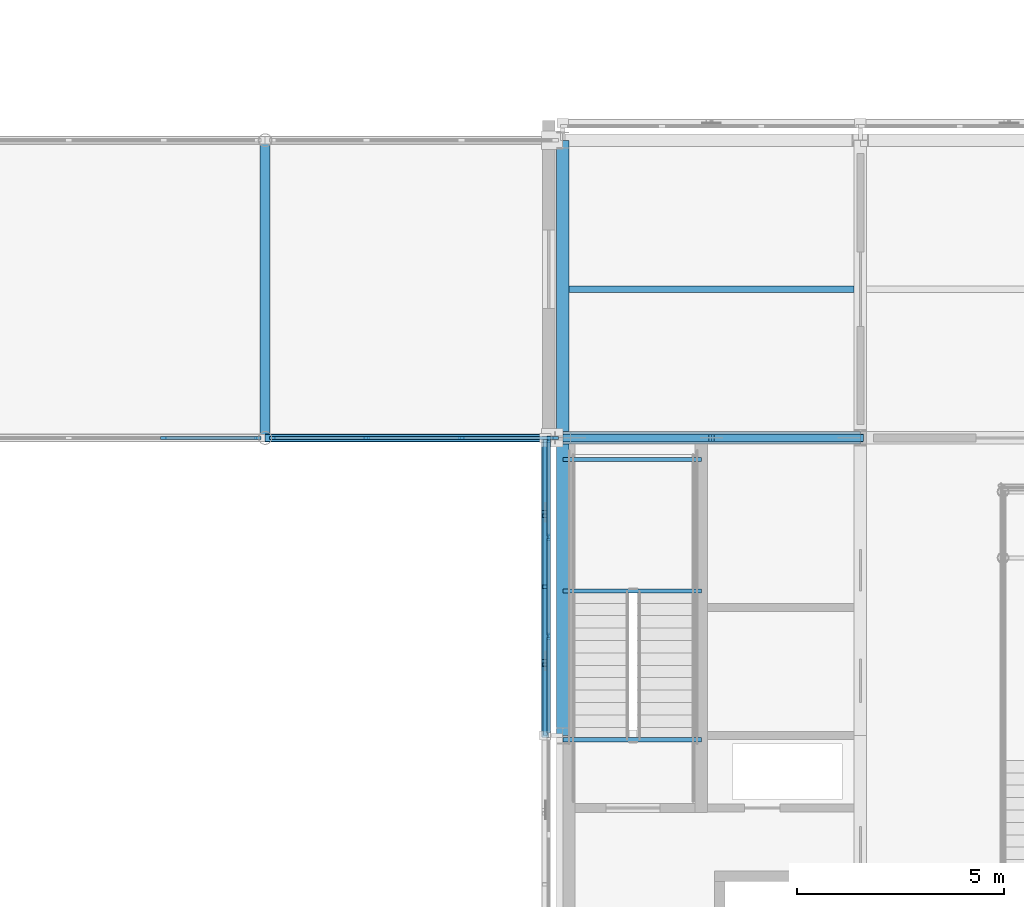
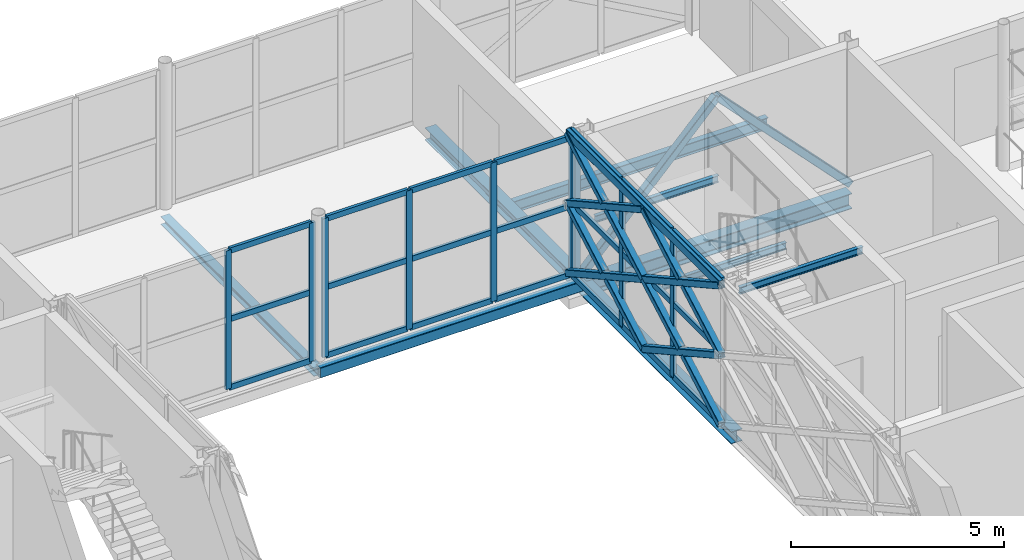
# One storey, part 31 of 146: 45 members, 9 beams, 3 elements without a shape of their own.
"""IFC4 building model written with IfcOpenShell, lengths in metres."""

from ifc_helpers import new_model, si_unit, direction, frame, origin, origin_2d, place, context, subcontext, project, spatial, rectangle, hollow_rectangle, i_section, extrude, material, material_profile, profile_set, type_object, element, aggregate, save


model = new_model("IFC4")

# Units and contexts
model_context = context("Model", 3, precision=1e-05, world=origin(), true_north=direction((0.0, 1.0)))
body_context = subcontext(model_context, "Body", "Model", "MODEL_VIEW")
ifc_project = project(units=[si_unit("LENGTHUNIT", "METRE"), si_unit("AREAUNIT", "SQUARE_METRE"), si_unit("VOLUMEUNIT", "CUBIC_METRE"), si_unit("PLANEANGLEUNIT", "RADIAN"), si_unit("MASSUNIT", "GRAM", prefix="KILO")], contexts=[model_context])

# Site, building, storey
site_placement = place(None, origin())
site = spatial("IfcSite", under=ifc_project, at=site_placement, CompositionType="ELEMENT")
building_placement = place(site_placement, origin())
building = spatial("IfcBuilding", under=site, at=building_placement, Name="Zlatovets Crest Museum", CompositionType="ELEMENT")
storey_placement = place(building_placement, frame((0.0, 0.0, 4.5)))
storey = spatial("IfcBuildingStorey", under=building, at=storey_placement, Name="L01", CompositionType="ELEMENT", Elevation=4.5)

# Beams
ifc_material_1 = material(Name="Structural steel S355J2", Category="steel")
ifc_material_profile_1 = material_profile(ifc_material_1, i_section(OverallWidth=0.300048828125, OverallDepth=0.35009765625, WebThickness=0.010009765625, FlangeThickness=0.017578125, FilletRadius=0.027099609375, at=origin_2d()), Name="HEA 360")
ifc_profile_set_1 = profile_set([ifc_material_profile_1], Name="Structural steel S355J2")
beam_type_1 = type_object("IfcBeamType", Name="Beam_B-03", PredefinedType="BEAM", material=ifc_profile_set_1)
beam_1_placement = place(storey_placement, frame((57.60009765625, 14.39990234375, -0.39501953125), z_axis=(0.0, 1.0, 0.0), x_axis=(-1.0, 0.0, 0.0)))
element("IfcBeam", 1, at=beam_1_placement, inside=storey, type_object=beam_type_1, Name="V2 L01 Grid Beam B-03", PredefinedType="BEAM", context=body_context, shape_type="SweptSolid", body=[
    extrude(i_section(OverallWidth=0.300048828125, OverallDepth=0.35009765625, WebThickness=0.010009765625, FlangeThickness=0.017578125, FilletRadius=0.027099609375, at=origin_2d()), origin(), (0.0, 0.0, 1.0), 7.2001953125),
])
beam_2_placement = place(storey_placement, frame((57.60009765625, 21.60009765625, -0.39501953125), z_axis=(0.0, 1.0, 0.0), x_axis=(-1.0, 0.0, 0.0)))
element("IfcBeam", 2, at=beam_2_placement, inside=storey, type_object=beam_type_1, Name="V2 L01 Grid Beam B-03", PredefinedType="BEAM", context=body_context, shape_type="SweptSolid", body=[
    extrude(i_section(OverallWidth=0.300048828125, OverallDepth=0.35009765625, WebThickness=0.010009765625, FlangeThickness=0.017578125, FilletRadius=0.027099609375, at=origin_2d()), origin(), (0.0, 0.0, 1.0), 7.199951171875),
])
ifc_material_profile_2 = material_profile(ifc_material_1, i_section(OverallWidth=0.239990234375, OverallDepth=0.22998046875, WebThickness=0.007568359375, FlangeThickness=0.011962890625, FilletRadius=0.02099609375, at=origin_2d()), Name="HEA 240")
ifc_profile_set_2 = profile_set([ifc_material_profile_2], Name="Structural steel S355J2")
beam_type_2 = type_object("IfcBeamType", Name="Beam_B-06", PredefinedType="BEAM", material=ifc_profile_set_2)
beam_3_placement = place(storey_placement, frame((50.39990234375, 21.60009765625, -0.3701171875), z_axis=(0.0, 1.0, 0.0), x_axis=(-1.0, 0.0, 0.0)))
element("IfcBeam", 3, at=beam_3_placement, inside=storey, type_object=beam_type_2, Name="South Forecourt Glazed Link Bridge L01 Cross Beam", PredefinedType="BEAM", context=body_context, shape_type="SweptSolid", body=[
    extrude(i_section(OverallWidth=0.239990234375, OverallDepth=0.22998046875, WebThickness=0.007568359375, FlangeThickness=0.011962890625, FilletRadius=0.02099609375, at=origin_2d()), origin(), (0.0, 0.0, 1.0), 7.199951171875),
])
ifc_material_profile_3 = material_profile(ifc_material_1, i_section(OverallWidth=0.300048828125, OverallDepth=0.43994140625, WebThickness=0.011474609375, FlangeThickness=0.02099609375, FilletRadius=0.027099609375, at=origin_2d()), Name="HEA 450")
ifc_profile_set_3 = profile_set([ifc_material_profile_3], Name="Structural steel S355J2")
beam_type_3 = type_object("IfcBeamType", Name="Beam_B-10", PredefinedType="BEAM", material=ifc_profile_set_3)
beam_4_placement = place(storey_placement, frame((57.60009765625, 21.60009765625, -0.43994140625), z_axis=(1.0, 0.0, 0.0), x_axis=(0.0, 1.0, 0.0)))
element("IfcBeam", 4, at=beam_4_placement, inside=storey, type_object=beam_type_3, Name="V2 L01 Primary Girder B-10", PredefinedType="BEAM", context=body_context, shape_type="SweptSolid", body=[
    extrude(i_section(OverallWidth=0.300048828125, OverallDepth=0.43994140625, WebThickness=0.011474609375, FlangeThickness=0.02099609375, FilletRadius=0.027099609375, at=origin_2d()), origin(), (0.0, 0.0, 1.0), 7.199951171875),
])
ifc_material_profile_4 = material_profile(ifc_material_1, hollow_rectangle(XDim=0.199951171875, YDim=0.300048828125, WallThickness=0.012451171875, InnerFilletRadius=0.012451171875, OuterFilletRadius=0.02490234375, at=origin_2d()), Name="RHS 200x300x12.5")
ifc_profile_set_4 = profile_set([ifc_material_profile_4], Name="Structural steel S355J2")
beam_type_4 = type_object("IfcBeamType", Name="Beam_BRG-01", PredefinedType="BEAM", material=ifc_profile_set_4)
beam_5_placement = place(storey_placement, frame((50.39990234375, 21.60009765625, -0.3701171875), z_axis=(1.0, 0.0, 0.0), x_axis=(0.0, 1.0, 0.0)))
element("IfcBeam", 5, at=beam_5_placement, inside=storey, type_object=beam_type_4, Name="South Forecourt Glazed Link Bridge L01 Stringer Beam", PredefinedType="BEAM", context=body_context, shape_type="SweptSolid", body=[
    extrude(hollow_rectangle(XDim=0.199951171875, YDim=0.300048828125, WallThickness=0.012451171875, InnerFilletRadius=0.012451171875, OuterFilletRadius=0.02490234375, at=origin_2d()), origin(), (0.0, 0.0, 1.0), 7.2001953125),
])
ifc_material_profile_5 = material_profile(ifc_material_1, i_section(OverallWidth=0.159912109375, OverallDepth=0.330078125, WebThickness=0.007568359375, FlangeThickness=0.011474609375, FilletRadius=0.01806640625, at=origin_2d()), Name="IPE 330")
ifc_profile_set_5 = profile_set([ifc_material_profile_5], Name="Structural steel S355J2")
beam_type_5 = type_object("IfcBeamType", Name="Beam_J-09", PredefinedType="JOIST", material=ifc_profile_set_5)
beam_6_placement = place(storey_placement, frame((57.75, 25.199951171875, -0.385009765625), z_axis=(1.0, 0.0, 0.0), x_axis=(0.0, 1.0, 0.0)))
element("IfcBeam", 6, at=beam_6_placement, inside=storey, type_object=beam_type_5, Name="V2 L01 Composite Joist J-09", PredefinedType="JOIST", context=body_context, shape_type="SweptSolid", body=[
    extrude(i_section(OverallWidth=0.159912109375, OverallDepth=0.330078125, WebThickness=0.007568359375, FlangeThickness=0.011474609375, FilletRadius=0.01806640625, at=origin_2d()), origin(), (0.0, 0.0, 1.0), 6.89990234375),
])
ifc_material_profile_6 = material_profile(ifc_material_1, i_section(OverallWidth=0.10009765625, OverallDepth=0.199951171875, WebThickness=0.005615234375, FlangeThickness=0.008544921875, FilletRadius=0.011962890625, at=origin_2d()), Name="IPE 200")
ifc_profile_set_6 = profile_set([ifc_material_profile_6], Name="Structural steel S355J2")
beam_type_6 = type_object("IfcBeamType", Name="Beam_PR-02", PredefinedType="LINTEL", material=ifc_profile_set_6)
for number, where, z_axis, x_axis, name in (
    (7, (57.60009765625, 14.300048828125, 3.860107421875), (1.0, 0.0, 0.0), (0.0, 1.0, 0.0), "Core C2 L01 Stair Well Header Beam"),
    (8, (57.60009765625, 17.89990234375, 1.800048828125), (1.0, 0.0, 0.0), (0.0, 1.0, 0.0), "Core C2 L01 Half-Landing Support Beam"),
    (9, (57.60009765625, 21.080078125, 1.800048828125), (1.0, 0.0, 0.0), (0.0, 1.0, 0.0), "Core C2 L01 Half-Landing Support Beam"),
):
    element("IfcBeam", number, at=place(storey_placement, frame(where, z_axis=z_axis, x_axis=x_axis)), inside=storey, type_object=beam_type_6, Name=name, PredefinedType="LINTEL", context=body_context, shape_type="SweptSolid", body=[
        extrude(i_section(OverallWidth=0.10009765625, OverallDepth=0.199951171875, WebThickness=0.005615234375, FlangeThickness=0.008544921875, FilletRadius=0.011962890625, at=origin_2d()), origin(), (0.0, 0.0, 1.0), 3.349853515625),
    ])

# Curtain wall, members
ifc_material_2 = material(Name="Bronze-anodised aluminium and low-E triple glass", Category="aluminium")
curtain_wall_type_1 = type_object("IfcCurtainWallType", Name="CW_CW-V2-L01-M3", PredefinedType="NOTDEFINED", material=ifc_material_2)
curtain_wall_1_placement = place(storey_placement, origin())
curtain_wall_1 = element("IfcCurtainWall", 10, at=curtain_wall_1_placement, inside=storey, type_object=curtain_wall_type_1, Name="V2 L01 Expressed Core Glazed Facade", PredefinedType="NOTDEFINED")
ifc_material_3 = material(Name="Bronze-anodised aluminium EN AW-6060", Category="aluminium")
ifc_material_profile_7 = material_profile(ifc_material_3, rectangle(XDim=0.080078125, YDim=0.159912109375, at=origin_2d()), Name="ALU 80x160")
ifc_profile_set_7 = profile_set([ifc_material_profile_7], Name="Bronze-anodised aluminium EN AW-6060")
member_type_1 = type_object("IfcMemberType", Name="CWMull_M1", PredefinedType="MULLION", material=ifc_profile_set_7)
member_1_placement = place(storey_placement, frame((57.260009765625, 21.570068359375, 0.0), z_axis=(0.0, 0.0, 1.0), x_axis=(1.0, 0.0, 0.0)))
member_1 = element("IfcMember", 11, at=member_1_placement, type_object=member_type_1, Name="CW-V2-L01-M3 mullion 1", PredefinedType="MULLION", context=body_context, shape_type="SweptSolid", body=[
    extrude(rectangle(XDim=0.080078125, YDim=0.159912109375, at=origin_2d()), origin(), (0.0, 0.0, 1.0), 4.199951171875),
])
member_2_placement = place(storey_placement, frame((57.260009765625, 19.199951171875, 0.0), z_axis=(0.0, 0.0, 1.0), x_axis=(1.0, 0.0, 0.0)))
member_2 = element("IfcMember", 12, at=member_2_placement, type_object=member_type_1, Name="CW-V2-L01-M3 mullion 2", PredefinedType="MULLION", context=body_context, shape_type="SweptSolid", body=[
    extrude(rectangle(XDim=0.080078125, YDim=0.159912109375, at=origin_2d()), origin(), (0.0, 0.0, 1.0), 4.199951171875),
])
member_3_placement = place(storey_placement, frame((57.260009765625, 16.800048828125, 0.0), z_axis=(0.0, 0.0, 1.0), x_axis=(1.0, 0.0, 0.0)))
member_3 = element("IfcMember", 13, at=member_3_placement, type_object=member_type_1, Name="CW-V2-L01-M3 mullion 3", PredefinedType="MULLION", context=body_context, shape_type="SweptSolid", body=[
    extrude(rectangle(XDim=0.080078125, YDim=0.159912109375, at=origin_2d()), origin(), (0.0, 0.0, 1.0), 4.199951171875),
])

curtain_wall_type_2 = type_object("IfcCurtainWallType", Name="CW_CW-BR1-L01-S69", PredefinedType="NOTDEFINED", material=ifc_material_2)
curtain_wall_2_placement = place(storey_placement, origin())
curtain_wall_2 = element("IfcCurtainWall", 14, at=curtain_wall_2_placement, inside=storey, type_object=curtain_wall_type_2, Name="South Forecourt Glazed Link Bridge L01 Glazed Bridge Curtain Wall", PredefinedType="NOTDEFINED")
member_4_placement = place(storey_placement, frame((47.949951171875, 21.60009765625, 0.0), z_axis=(0.0, 0.0, 1.0), x_axis=(0.0, 1.0, 0.0)))
member_4 = element("IfcMember", 15, at=member_4_placement, type_object=member_type_1, Name="CW-BR1-L01-S69 mullion 3", PredefinedType="MULLION", context=body_context, shape_type="SweptSolid", body=[
    extrude(rectangle(XDim=0.080078125, YDim=0.159912109375, at=origin_2d()), origin(), (0.0, 0.0, 1.0), 3.97998046875),
])
member_5_placement = place(storey_placement, frame((50.219970703125, 21.60009765625, 0.0), z_axis=(0.0, 0.0, 1.0), x_axis=(0.0, 1.0, 0.0)))
member_5 = element("IfcMember", 16, at=member_5_placement, type_object=member_type_1, Name="CW-BR1-L01-S69 mullion 4", PredefinedType="MULLION", context=body_context, shape_type="SweptSolid", body=[
    extrude(rectangle(XDim=0.080078125, YDim=0.159912109375, at=origin_2d()), origin(), (0.0, 0.0, 1.0), 3.97998046875),
])

curtain_wall_3_placement = place(storey_placement, origin())
curtain_wall_3 = element("IfcCurtainWall", 17, at=curtain_wall_3_placement, inside=storey, type_object=curtain_wall_type_2, Name="South Forecourt Glazed Link Bridge L01 Glazed Bridge Curtain Wall", PredefinedType="NOTDEFINED")
member_6_placement = place(storey_placement, frame((50.580078125, 21.60009765625, 0.0), z_axis=(0.0, 0.0, 1.0), x_axis=(0.0, 1.0, 0.0)))
member_6 = element("IfcMember", 18, at=member_6_placement, type_object=member_type_1, Name="CW-BR1-L01-S69 mullion 1", PredefinedType="MULLION", context=body_context, shape_type="SweptSolid", body=[
    extrude(rectangle(XDim=0.080078125, YDim=0.159912109375, at=origin_2d()), origin(), (0.0, 0.0, 1.0), 3.97998046875),
])
member_7_placement = place(storey_placement, frame((52.85009765625, 21.60009765625, 0.0), z_axis=(0.0, 0.0, 1.0), x_axis=(0.0, 1.0, 0.0)))
member_7 = element("IfcMember", 19, at=member_7_placement, type_object=member_type_1, Name="CW-BR1-L01-S69 mullion 2", PredefinedType="MULLION", context=body_context, shape_type="SweptSolid", body=[
    extrude(rectangle(XDim=0.080078125, YDim=0.159912109375, at=origin_2d()), origin(), (0.0, 0.0, 1.0), 3.97998046875),
])
member_8_placement = place(storey_placement, frame((55.14990234375, 21.60009765625, 0.0), z_axis=(0.0, 0.0, 1.0), x_axis=(0.0, 1.0, 0.0)))
member_8 = element("IfcMember", 20, at=member_8_placement, type_object=member_type_1, Name="CW-BR1-L01-S69 mullion 3", PredefinedType="MULLION", context=body_context, shape_type="SweptSolid", body=[
    extrude(rectangle(XDim=0.080078125, YDim=0.159912109375, at=origin_2d()), origin(), (0.0, 0.0, 1.0), 3.97998046875),
])
member_9_placement = place(storey_placement, frame((57.419921875, 21.60009765625, 0.0), z_axis=(0.0, 0.0, 1.0), x_axis=(0.0, 1.0, 0.0)))
member_9 = element("IfcMember", 21, at=member_9_placement, type_object=member_type_1, Name="CW-BR1-L01-S69 mullion 4", PredefinedType="MULLION", context=body_context, shape_type="SweptSolid", body=[
    extrude(rectangle(XDim=0.080078125, YDim=0.159912109375, at=origin_2d()), origin(), (0.0, 0.0, 1.0), 3.97998046875),
])

# Member
ifc_material_profile_8 = material_profile(ifc_material_3, rectangle(XDim=0.080078125, YDim=0.159912109375, at=origin_2d()), Name="ALU 80x160")
ifc_profile_set_8 = profile_set([ifc_material_profile_8], Name="Bronze-anodised aluminium EN AW-6060")
member_type_2 = type_object("IfcMemberType", Name="CWTrans_T1", PredefinedType="USERDEFINED", material=ifc_profile_set_8)
member_10_placement = place(storey_placement, frame((57.260009765625, 21.5400390625, 0.030029296875), z_axis=(0.0, -1.0, 0.0), x_axis=(1.0, 0.0, 0.0)))
member_10 = element("IfcMember", 22, at=member_10_placement, type_object=member_type_2, Name="CW-V2-L01-M3 transom 1.1", ObjectType="TRANSOM", PredefinedType="USERDEFINED", context=body_context, shape_type="SweptSolid", body=[
    extrude(rectangle(XDim=0.080078125, YDim=0.159912109375, at=origin_2d()), origin(), (0.0, 0.0, 1.0), 2.31005859375),
])

member_11_placement = place(storey_placement, frame((57.260009765625, 21.5400390625, 2.10009765625), z_axis=(0.0, -1.0, 0.0), x_axis=(1.0, 0.0, 0.0)))
member_11 = element("IfcMember", 23, at=member_11_placement, type_object=member_type_2, Name="CW-V2-L01-M3 transom 1.2", ObjectType="TRANSOM", PredefinedType="USERDEFINED", context=body_context, shape_type="SweptSolid", body=[
    extrude(rectangle(XDim=0.080078125, YDim=0.159912109375, at=origin_2d()), origin(), (0.0, 0.0, 1.0), 2.31005859375),
])

member_12_placement = place(storey_placement, frame((57.260009765625, 21.5400390625, 4.169921875), z_axis=(0.0, -1.0, 0.0), x_axis=(1.0, 0.0, 0.0)))
member_12 = element("IfcMember", 24, at=member_12_placement, type_object=member_type_2, Name="CW-V2-L01-M3 transom 1.3", ObjectType="TRANSOM", PredefinedType="USERDEFINED", context=body_context, shape_type="SweptSolid", body=[
    extrude(rectangle(XDim=0.080078125, YDim=0.159912109375, at=origin_2d()), origin(), (0.0, 0.0, 1.0), 2.31005859375),
])

member_13_placement = place(storey_placement, frame((57.260009765625, 19.169921875, 0.030029296875), z_axis=(0.0, -1.0, 0.0), x_axis=(1.0, 0.0, 0.0)))
member_13 = element("IfcMember", 25, at=member_13_placement, type_object=member_type_2, Name="CW-V2-L01-M3 transom 2.1", ObjectType="TRANSOM", PredefinedType="USERDEFINED", context=body_context, shape_type="SweptSolid", body=[
    extrude(rectangle(XDim=0.080078125, YDim=0.159912109375, at=origin_2d()), origin(), (0.0, 0.0, 1.0), 2.33984375),
])

member_14_placement = place(storey_placement, frame((57.260009765625, 19.169921875, 2.10009765625), z_axis=(0.0, -1.0, 0.0), x_axis=(1.0, 0.0, 0.0)))
member_14 = element("IfcMember", 26, at=member_14_placement, type_object=member_type_2, Name="CW-V2-L01-M3 transom 2.2", ObjectType="TRANSOM", PredefinedType="USERDEFINED", context=body_context, shape_type="SweptSolid", body=[
    extrude(rectangle(XDim=0.080078125, YDim=0.159912109375, at=origin_2d()), origin(), (0.0, 0.0, 1.0), 2.33984375),
])

member_15_placement = place(storey_placement, frame((57.260009765625, 19.169921875, 4.169921875), z_axis=(0.0, -1.0, 0.0), x_axis=(1.0, 0.0, 0.0)))
member_15 = element("IfcMember", 27, at=member_15_placement, type_object=member_type_2, Name="CW-V2-L01-M3 transom 2.3", ObjectType="TRANSOM", PredefinedType="USERDEFINED", context=body_context, shape_type="SweptSolid", body=[
    extrude(rectangle(XDim=0.080078125, YDim=0.159912109375, at=origin_2d()), origin(), (0.0, 0.0, 1.0), 2.33984375),
])

member_16_placement = place(storey_placement, frame((57.260009765625, 16.77001953125, 0.030029296875), z_axis=(0.0, -1.0, 0.0), x_axis=(1.0, 0.0, 0.0)))
member_16 = element("IfcMember", 28, at=member_16_placement, type_object=member_type_2, Name="CW-V2-L01-M3 transom 3.1", ObjectType="TRANSOM", PredefinedType="USERDEFINED", context=body_context, shape_type="SweptSolid", body=[
    extrude(rectangle(XDim=0.080078125, YDim=0.159912109375, at=origin_2d()), origin(), (0.0, 0.0, 1.0), 2.31005859375),
])

member_17_placement = place(storey_placement, frame((57.260009765625, 16.77001953125, 2.10009765625), z_axis=(0.0, -1.0, 0.0), x_axis=(1.0, 0.0, 0.0)))
member_17 = element("IfcMember", 29, at=member_17_placement, type_object=member_type_2, Name="CW-V2-L01-M3 transom 3.2", ObjectType="TRANSOM", PredefinedType="USERDEFINED", context=body_context, shape_type="SweptSolid", body=[
    extrude(rectangle(XDim=0.080078125, YDim=0.159912109375, at=origin_2d()), origin(), (0.0, 0.0, 1.0), 2.31005859375),
])

member_18_placement = place(storey_placement, frame((57.260009765625, 16.77001953125, 4.169921875), z_axis=(0.0, -1.0, 0.0), x_axis=(1.0, 0.0, 0.0)))
member_18 = element("IfcMember", 30, at=member_18_placement, type_object=member_type_2, Name="CW-V2-L01-M3 transom 3.3", ObjectType="TRANSOM", PredefinedType="USERDEFINED", context=body_context, shape_type="SweptSolid", body=[
    extrude(rectangle(XDim=0.080078125, YDim=0.159912109375, at=origin_2d()), origin(), (0.0, 0.0, 1.0), 2.31005859375),
])

aggregate(curtain_wall_1, [member_1, member_2, member_3, member_10, member_11, member_12, member_13, member_14, member_15, member_16, member_17, member_18])

member_19_placement = place(storey_placement, frame((47.97998046875, 21.60009765625, 0.030029296875), z_axis=(1.0, 0.0, 0.0), x_axis=(0.0, 1.0, 0.0)))
member_19 = element("IfcMember", 31, at=member_19_placement, type_object=member_type_2, Name="CW-BR1-L01-S69 transom 3.1", ObjectType="TRANSOM", PredefinedType="USERDEFINED", context=body_context, shape_type="SweptSolid", body=[
    extrude(rectangle(XDim=0.080078125, YDim=0.159912109375, at=origin_2d()), origin(), (0.0, 0.0, 1.0), 2.2099609375),
])

member_20_placement = place(storey_placement, frame((47.97998046875, 21.60009765625, 1.989990234375), z_axis=(1.0, 0.0, 0.0), x_axis=(0.0, 1.0, 0.0)))
member_20 = element("IfcMember", 32, at=member_20_placement, type_object=member_type_2, Name="CW-BR1-L01-S69 transom 3.2", ObjectType="TRANSOM", PredefinedType="USERDEFINED", context=body_context, shape_type="SweptSolid", body=[
    extrude(rectangle(XDim=0.080078125, YDim=0.159912109375, at=origin_2d()), origin(), (0.0, 0.0, 1.0), 2.2099609375),
])

member_21_placement = place(storey_placement, frame((47.97998046875, 21.60009765625, 3.949951171875), z_axis=(1.0, 0.0, 0.0), x_axis=(0.0, 1.0, 0.0)))
member_21 = element("IfcMember", 33, at=member_21_placement, type_object=member_type_2, Name="CW-BR1-L01-S69 transom 3.3", ObjectType="TRANSOM", PredefinedType="USERDEFINED", context=body_context, shape_type="SweptSolid", body=[
    extrude(rectangle(XDim=0.080078125, YDim=0.159912109375, at=origin_2d()), origin(), (0.0, 0.0, 1.0), 2.2099609375),
])

aggregate(curtain_wall_2, [member_4, member_5, member_19, member_20, member_21])

member_22_placement = place(storey_placement, frame((50.610107421875, 21.60009765625, 0.030029296875), z_axis=(1.0, 0.0, 0.0), x_axis=(0.0, 1.0, 0.0)))
member_22 = element("IfcMember", 34, at=member_22_placement, type_object=member_type_2, Name="CW-BR1-L01-S69 transom 1.1", ObjectType="TRANSOM", PredefinedType="USERDEFINED", context=body_context, shape_type="SweptSolid", body=[
    extrude(rectangle(XDim=0.080078125, YDim=0.159912109375, at=origin_2d()), origin(), (0.0, 0.0, 1.0), 2.2099609375),
])

member_23_placement = place(storey_placement, frame((50.610107421875, 21.60009765625, 1.989990234375), z_axis=(1.0, 0.0, 0.0), x_axis=(0.0, 1.0, 0.0)))
member_23 = element("IfcMember", 35, at=member_23_placement, type_object=member_type_2, Name="CW-BR1-L01-S69 transom 1.2", ObjectType="TRANSOM", PredefinedType="USERDEFINED", context=body_context, shape_type="SweptSolid", body=[
    extrude(rectangle(XDim=0.080078125, YDim=0.159912109375, at=origin_2d()), origin(), (0.0, 0.0, 1.0), 2.2099609375),
])

member_24_placement = place(storey_placement, frame((50.610107421875, 21.60009765625, 3.949951171875), z_axis=(1.0, 0.0, 0.0), x_axis=(0.0, 1.0, 0.0)))
member_24 = element("IfcMember", 36, at=member_24_placement, type_object=member_type_2, Name="CW-BR1-L01-S69 transom 1.3", ObjectType="TRANSOM", PredefinedType="USERDEFINED", context=body_context, shape_type="SweptSolid", body=[
    extrude(rectangle(XDim=0.080078125, YDim=0.159912109375, at=origin_2d()), origin(), (0.0, 0.0, 1.0), 2.2099609375),
])

member_25_placement = place(storey_placement, frame((52.8798828125, 21.60009765625, 0.030029296875), z_axis=(1.0, 0.0, 0.0), x_axis=(0.0, 1.0, 0.0)))
member_25 = element("IfcMember", 37, at=member_25_placement, type_object=member_type_2, Name="CW-BR1-L01-S69 transom 2.1", ObjectType="TRANSOM", PredefinedType="USERDEFINED", context=body_context, shape_type="SweptSolid", body=[
    extrude(rectangle(XDim=0.080078125, YDim=0.159912109375, at=origin_2d()), origin(), (0.0, 0.0, 1.0), 2.240234375),
])

member_26_placement = place(storey_placement, frame((52.8798828125, 21.60009765625, 1.989990234375), z_axis=(1.0, 0.0, 0.0), x_axis=(0.0, 1.0, 0.0)))
member_26 = element("IfcMember", 38, at=member_26_placement, type_object=member_type_2, Name="CW-BR1-L01-S69 transom 2.2", ObjectType="TRANSOM", PredefinedType="USERDEFINED", context=body_context, shape_type="SweptSolid", body=[
    extrude(rectangle(XDim=0.080078125, YDim=0.159912109375, at=origin_2d()), origin(), (0.0, 0.0, 1.0), 2.240234375),
])

member_27_placement = place(storey_placement, frame((52.8798828125, 21.60009765625, 3.949951171875), z_axis=(1.0, 0.0, 0.0), x_axis=(0.0, 1.0, 0.0)))
member_27 = element("IfcMember", 39, at=member_27_placement, type_object=member_type_2, Name="CW-BR1-L01-S69 transom 2.3", ObjectType="TRANSOM", PredefinedType="USERDEFINED", context=body_context, shape_type="SweptSolid", body=[
    extrude(rectangle(XDim=0.080078125, YDim=0.159912109375, at=origin_2d()), origin(), (0.0, 0.0, 1.0), 2.240234375),
])

member_28_placement = place(storey_placement, frame((55.179931640625, 21.60009765625, 0.030029296875), z_axis=(1.0, 0.0, 0.0), x_axis=(0.0, 1.0, 0.0)))
member_28 = element("IfcMember", 40, at=member_28_placement, type_object=member_type_2, Name="CW-BR1-L01-S69 transom 3.1", ObjectType="TRANSOM", PredefinedType="USERDEFINED", context=body_context, shape_type="SweptSolid", body=[
    extrude(rectangle(XDim=0.080078125, YDim=0.159912109375, at=origin_2d()), origin(), (0.0, 0.0, 1.0), 2.2099609375),
])

member_29_placement = place(storey_placement, frame((55.179931640625, 21.60009765625, 1.989990234375), z_axis=(1.0, 0.0, 0.0), x_axis=(0.0, 1.0, 0.0)))
member_29 = element("IfcMember", 41, at=member_29_placement, type_object=member_type_2, Name="CW-BR1-L01-S69 transom 3.2", ObjectType="TRANSOM", PredefinedType="USERDEFINED", context=body_context, shape_type="SweptSolid", body=[
    extrude(rectangle(XDim=0.080078125, YDim=0.159912109375, at=origin_2d()), origin(), (0.0, 0.0, 1.0), 2.2099609375),
])

member_30_placement = place(storey_placement, frame((55.179931640625, 21.60009765625, 3.949951171875), z_axis=(1.0, 0.0, 0.0), x_axis=(0.0, 1.0, 0.0)))
member_30 = element("IfcMember", 42, at=member_30_placement, type_object=member_type_2, Name="CW-BR1-L01-S69 transom 3.3", ObjectType="TRANSOM", PredefinedType="USERDEFINED", context=body_context, shape_type="SweptSolid", body=[
    extrude(rectangle(XDim=0.080078125, YDim=0.159912109375, at=origin_2d()), origin(), (0.0, 0.0, 1.0), 2.2099609375),
])

aggregate(curtain_wall_3, [member_6, member_7, member_8, member_9, member_22, member_23, member_24, member_25, member_26, member_27, member_28, member_29, member_30])

# Members
ifc_material_4 = material(Name="Weathering bronze-steel S355J2W", Category="steel")
ifc_material_profile_9 = material_profile(ifc_material_4, hollow_rectangle(XDim=0.179931640625, YDim=0.179931640625, WallThickness=0.010009765625, InnerFilletRadius=0.010009765625, OuterFilletRadius=0.02001953125, at=origin_2d()), Name="SHS 180x180x10.0")
ifc_profile_set_9 = profile_set([ifc_material_profile_9], Name="Weathering bronze-steel S355J2W")
member_type_3 = type_object("IfcMemberType", Name="Lattice_XL-01", PredefinedType="BRACE", material=ifc_profile_set_9)
member_31_placement = place(storey_placement, frame((57.179931640625, 21.60009765625, 0.10009765625), z_axis=(0.0, -0.874162868644, 0.485632864501), x_axis=(1.0, 0.0, 0.0)))
element("IfcMember", 43, at=member_31_placement, inside=storey, type_object=member_type_3, Name="Continuous Bronze Lattice Diagonal", PredefinedType="BRACE", context=body_context, shape_type="SweptSolid", body=[
    extrude(hollow_rectangle(XDim=0.179931640625, YDim=0.179931640625, WallThickness=0.010009765625, InnerFilletRadius=0.010009765625, OuterFilletRadius=0.02001953125, at=origin_2d()), origin(), (0.0, 0.0, 1.0), 4.118408203125),
])
member_32_placement = place(storey_placement, frame((57.179931640625, 21.60009765625, 2.10009765625), z_axis=(0.0, -0.874116234569, -0.48571679862), x_axis=(1.0, 0.0, 0.0)))
element("IfcMember", 44, at=member_32_placement, inside=storey, type_object=member_type_3, Name="Split Crossing Bronze Lattice Diagonal Upper", PredefinedType="BRACE", context=body_context, shape_type="SweptSolid", body=[
    extrude(hollow_rectangle(XDim=0.179931640625, YDim=0.179931640625, WallThickness=0.010009765625, InnerFilletRadius=0.010009765625, OuterFilletRadius=0.02001953125, at=origin_2d()), origin(), (0.0, 0.0, 1.0), 1.96435546875),
])
member_33_placement = place(storey_placement, frame((57.179931640625, 19.717041015625, 1.053955078125), z_axis=(0.0, -0.874169001841, -0.485621824284), x_axis=(1.0, 0.0, 0.0)))
element("IfcMember", 45, at=member_33_placement, inside=storey, type_object=member_type_3, Name="Split Crossing Bronze Lattice Diagonal Lower", PredefinedType="BRACE", context=body_context, shape_type="SweptSolid", body=[
    extrude(hollow_rectangle(XDim=0.179931640625, YDim=0.179931640625, WallThickness=0.010009765625, InnerFilletRadius=0.010009765625, OuterFilletRadius=0.02001953125, at=origin_2d()), origin(), (0.0, 0.0, 1.0), 1.964111328125),
])
member_34_placement = place(storey_placement, frame((57.179931640625, 18.0, 0.10009765625), z_axis=(0.0, -0.874162868644, 0.485632864501), x_axis=(1.0, 0.0, 0.0)))
element("IfcMember", 46, at=member_34_placement, inside=storey, type_object=member_type_3, Name="Continuous Bronze Lattice Diagonal", PredefinedType="BRACE", context=body_context, shape_type="SweptSolid", body=[
    extrude(hollow_rectangle(XDim=0.179931640625, YDim=0.179931640625, WallThickness=0.010009765625, InnerFilletRadius=0.010009765625, OuterFilletRadius=0.02001953125, at=origin_2d()), origin(), (0.0, 0.0, 1.0), 4.118408203125),
])
member_35_placement = place(storey_placement, frame((57.179931640625, 18.0, 2.10009765625), z_axis=(0.0, -0.874116234569, -0.48571679862), x_axis=(1.0, 0.0, 0.0)))
element("IfcMember", 47, at=member_35_placement, inside=storey, type_object=member_type_3, Name="Split Crossing Bronze Lattice Diagonal Upper", PredefinedType="BRACE", context=body_context, shape_type="SweptSolid", body=[
    extrude(hollow_rectangle(XDim=0.179931640625, YDim=0.179931640625, WallThickness=0.010009765625, InnerFilletRadius=0.010009765625, OuterFilletRadius=0.02001953125, at=origin_2d()), origin(), (0.0, 0.0, 1.0), 1.96435546875),
])
member_36_placement = place(storey_placement, frame((57.179931640625, 16.116943359375, 1.053955078125), z_axis=(0.0, -0.874169001841, -0.485621824284), x_axis=(1.0, 0.0, 0.0)))
element("IfcMember", 48, at=member_36_placement, inside=storey, type_object=member_type_3, Name="Split Crossing Bronze Lattice Diagonal Lower", PredefinedType="BRACE", context=body_context, shape_type="SweptSolid", body=[
    extrude(hollow_rectangle(XDim=0.179931640625, YDim=0.179931640625, WallThickness=0.010009765625, InnerFilletRadius=0.010009765625, OuterFilletRadius=0.02001953125, at=origin_2d()), origin(), (0.0, 0.0, 1.0), 1.964111328125),
])
member_37_placement = place(storey_placement, frame((57.179931640625, 21.60009765625, 2.10009765625), z_axis=(0.0, -0.874162868644, 0.485632864501), x_axis=(1.0, 0.0, 0.0)))
element("IfcMember", 49, at=member_37_placement, inside=storey, type_object=member_type_3, Name="Continuous Bronze Lattice Diagonal", PredefinedType="BRACE", context=body_context, shape_type="SweptSolid", body=[
    extrude(hollow_rectangle(XDim=0.179931640625, YDim=0.179931640625, WallThickness=0.010009765625, InnerFilletRadius=0.010009765625, OuterFilletRadius=0.02001953125, at=origin_2d()), origin(), (0.0, 0.0, 1.0), 4.118408203125),
])
member_38_placement = place(storey_placement, frame((57.179931640625, 21.60009765625, 4.10009765625), z_axis=(0.0, -0.874116234569, -0.48571679862), x_axis=(1.0, 0.0, 0.0)))
element("IfcMember", 50, at=member_38_placement, inside=storey, type_object=member_type_3, Name="Split Crossing Bronze Lattice Diagonal Upper", PredefinedType="BRACE", context=body_context, shape_type="SweptSolid", body=[
    extrude(hollow_rectangle(XDim=0.179931640625, YDim=0.179931640625, WallThickness=0.010009765625, InnerFilletRadius=0.010009765625, OuterFilletRadius=0.02001953125, at=origin_2d()), origin(), (0.0, 0.0, 1.0), 1.96435546875),
])
member_39_placement = place(storey_placement, frame((57.179931640625, 19.717041015625, 3.053955078125), z_axis=(0.0, -0.874169001841, -0.485621824284), x_axis=(1.0, 0.0, 0.0)))
element("IfcMember", 51, at=member_39_placement, inside=storey, type_object=member_type_3, Name="Split Crossing Bronze Lattice Diagonal Lower", PredefinedType="BRACE", context=body_context, shape_type="SweptSolid", body=[
    extrude(hollow_rectangle(XDim=0.179931640625, YDim=0.179931640625, WallThickness=0.010009765625, InnerFilletRadius=0.010009765625, OuterFilletRadius=0.02001953125, at=origin_2d()), origin(), (0.0, 0.0, 1.0), 1.964111328125),
])
member_40_placement = place(storey_placement, frame((57.179931640625, 18.0, 2.10009765625), z_axis=(0.0, -0.874162868644, 0.485632864501), x_axis=(1.0, 0.0, 0.0)))
element("IfcMember", 52, at=member_40_placement, inside=storey, type_object=member_type_3, Name="Continuous Bronze Lattice Diagonal", PredefinedType="BRACE", context=body_context, shape_type="SweptSolid", body=[
    extrude(hollow_rectangle(XDim=0.179931640625, YDim=0.179931640625, WallThickness=0.010009765625, InnerFilletRadius=0.010009765625, OuterFilletRadius=0.02001953125, at=origin_2d()), origin(), (0.0, 0.0, 1.0), 4.118408203125),
])
member_41_placement = place(storey_placement, frame((57.179931640625, 18.0, 4.10009765625), z_axis=(0.0, -0.874116234569, -0.48571679862), x_axis=(1.0, 0.0, 0.0)))
element("IfcMember", 53, at=member_41_placement, inside=storey, type_object=member_type_3, Name="Split Crossing Bronze Lattice Diagonal Upper", PredefinedType="BRACE", context=body_context, shape_type="SweptSolid", body=[
    extrude(hollow_rectangle(XDim=0.179931640625, YDim=0.179931640625, WallThickness=0.010009765625, InnerFilletRadius=0.010009765625, OuterFilletRadius=0.02001953125, at=origin_2d()), origin(), (0.0, 0.0, 1.0), 1.96435546875),
])
member_42_placement = place(storey_placement, frame((57.179931640625, 16.116943359375, 3.053955078125), z_axis=(0.0, -0.874169001841, -0.485621824284), x_axis=(1.0, 0.0, 0.0)))
element("IfcMember", 54, at=member_42_placement, inside=storey, type_object=member_type_3, Name="Split Crossing Bronze Lattice Diagonal Lower", PredefinedType="BRACE", context=body_context, shape_type="SweptSolid", body=[
    extrude(hollow_rectangle(XDim=0.179931640625, YDim=0.179931640625, WallThickness=0.010009765625, InnerFilletRadius=0.010009765625, OuterFilletRadius=0.02001953125, at=origin_2d()), origin(), (0.0, 0.0, 1.0), 1.964111328125),
])
ifc_material_profile_10 = material_profile(ifc_material_4, hollow_rectangle(XDim=0.1201171875, YDim=0.239990234375, WallThickness=0.010009765625, InnerFilletRadius=0.010009765625, OuterFilletRadius=0.02001953125, at=origin_2d()), Name="RHS 120x240x10.0")
ifc_profile_set_10 = profile_set([ifc_material_profile_10], Name="Weathering bronze-steel S355J2W")
member_type_4 = type_object("IfcMemberType", Name="Lattice_XL-04", PredefinedType="CHORD", material=ifc_profile_set_10)
member_43_placement = place(storey_placement, frame((57.179931640625, 21.60009765625, 4.10009765625), z_axis=(0.0, -1.0, 0.0), x_axis=(1.0, 0.0, 0.0)))
element("IfcMember", 55, at=member_43_placement, inside=storey, type_object=member_type_4, Name="Art Nouveau Woven Cage Collector Ring Chord", PredefinedType="CHORD", context=body_context, shape_type="SweptSolid", body=[
    extrude(hollow_rectangle(XDim=0.1201171875, YDim=0.239990234375, WallThickness=0.010009765625, InnerFilletRadius=0.010009765625, OuterFilletRadius=0.02001953125, at=origin_2d()), origin(), (0.0, 0.0, 1.0), 7.2001953125),
])
ifc_material_profile_11 = material_profile(ifc_material_1, hollow_rectangle(XDim=0.199951171875, YDim=0.199951171875, WallThickness=0.012451171875, InnerFilletRadius=0.012451171875, OuterFilletRadius=0.02490234375, at=origin_2d()), Name="SHS 200x200x12.5")
ifc_profile_set_11 = profile_set([ifc_material_profile_11], Name="Structural steel S355J2")
member_type_5 = type_object("IfcMemberType", Name="Member_BR-01", PredefinedType="BRACE", material=ifc_profile_set_11)
member_44_placement = place(storey_placement, frame((57.60009765625, 21.60009765625, 0.0), z_axis=(0.692517163318, 0.0, 0.721401399021), x_axis=(0.0, 1.0, 0.0)))
element("IfcMember", 56, at=member_44_placement, inside=storey, type_object=member_type_5, Name="V2 L01 Concentric Seismic Brace", PredefinedType="BRACE", context=body_context, shape_type="SweptSolid", body=[
    extrude(hollow_rectangle(XDim=0.199951171875, YDim=0.199951171875, WallThickness=0.012451171875, InnerFilletRadius=0.012451171875, OuterFilletRadius=0.02490234375, at=origin_2d()), origin(), (0.0, 0.0, 1.0), 5.1982421875),
])
member_45_placement = place(storey_placement, frame((64.800048828125, 21.60009765625, 0.0), z_axis=(-0.692541604294, 0.0, 0.721377935844), x_axis=(0.0, -1.0, 0.0)))
element("IfcMember", 57, at=member_45_placement, inside=storey, type_object=member_type_5, Name="V2 L01 Concentric Seismic Brace", PredefinedType="BRACE", context=body_context, shape_type="SweptSolid", body=[
    extrude(hollow_rectangle(XDim=0.199951171875, YDim=0.199951171875, WallThickness=0.012451171875, InnerFilletRadius=0.012451171875, OuterFilletRadius=0.02490234375, at=origin_2d()), origin(), (0.0, 0.0, 1.0), 5.198486328125),
])

save(model, "model.ifc")
